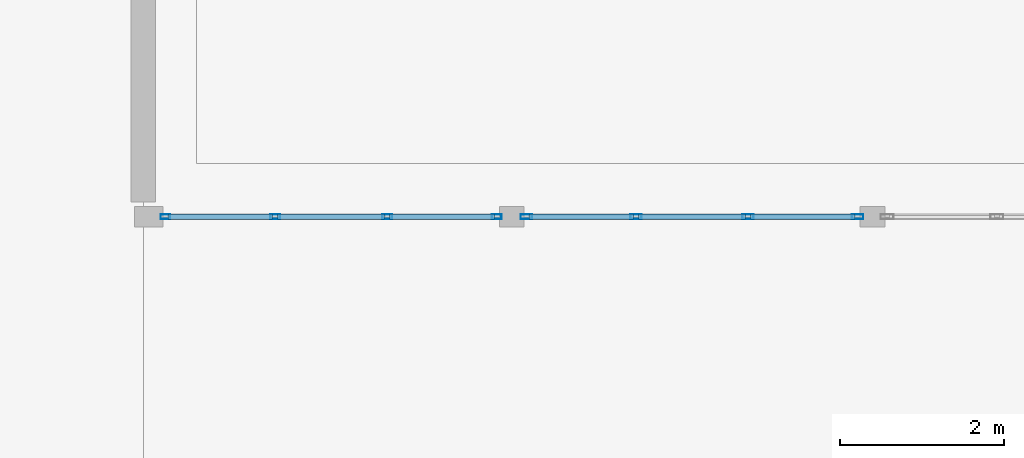
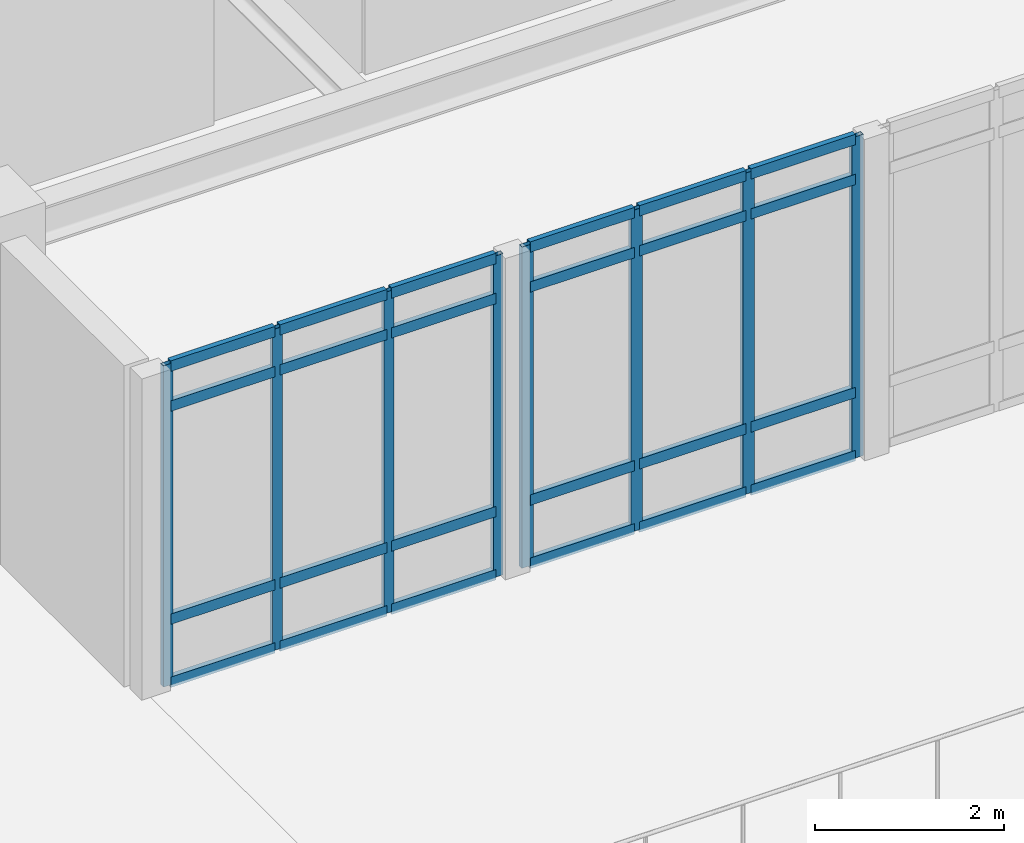
# One storey, part 6 of 55: 32 members, 2 elements without a shape of their own.
"""IFC4 building model written with IfcOpenShell, lengths in metres."""

from ifc_helpers import new_model, si_unit, direction, frame, origin, origin_2d, place, context, subcontext, project, spatial, hollow_rectangle, extrude, material, layer, layer_set, material_profile, profile_set, type_object, element, aggregate, save


model = new_model("IFC4")

# Units and contexts
model_context = context("Model", 3, precision=1e-05, world=origin(), true_north=direction((0.0, 1.0)))
body_context = subcontext(model_context, "Body", "Model", "MODEL_VIEW")
ifc_project = project(units=[si_unit("LENGTHUNIT", "METRE"), si_unit("AREAUNIT", "SQUARE_METRE"), si_unit("VOLUMEUNIT", "CUBIC_METRE"), si_unit("PLANEANGLEUNIT", "RADIAN"), si_unit("MASSUNIT", "GRAM", prefix="KILO")], contexts=[model_context])

# Site, building, storey
site_placement = place(None, origin())
site = spatial("IfcSite", under=ifc_project, at=site_placement, CompositionType="ELEMENT")
building_placement = place(site_placement, origin())
building = spatial("IfcBuilding", under=site, at=building_placement, Name="Fikremerkos Civic Library", CompositionType="ELEMENT")
storey_placement = place(building_placement, frame((0.0, 0.0, 18.89990234375)))
storey = spatial("IfcBuildingStorey", under=building, at=storey_placement, Name="L04", CompositionType="ELEMENT", Elevation=18.89990234375)

# Curtain wall, members
ifc_material = material(Name="Anodized aluminium Frame", Category="aluminium")
ifc_layer_1 = layer(ifc_material, 0.159912109375, Name="Anodized aluminium Frame")
ifc_layer_set_1 = layer_set([ifc_layer_1], Name="Anodized aluminium Frame")
curtain_wall_type_1 = type_object("IfcCurtainWallType", Name="Unitised curtain wall CW-11 3200x3400", PredefinedType="USERDEFINED", material=ifc_layer_set_1)
curtain_wall_1_placement = place(storey_placement, origin())
curtain_wall_1 = element("IfcCurtainWall", 1, at=curtain_wall_1_placement, inside=storey, type_object=curtain_wall_type_1, Name="Unitised curtain wall CW-11 L04 #227", ObjectType="UNITISED CURTAIN WALL", PredefinedType="USERDEFINED")
ifc_material_profile_1 = material_profile(ifc_material, hollow_rectangle(XDim=0.06005859375, YDim=0.139892578125, WallThickness=0.00390625, at=origin_2d()), Name="ALU 140x60x4")
ifc_profile_set_1 = profile_set([ifc_material_profile_1], Name="Anodized aluminium Frame")
member_type_1 = type_object("IfcMemberType", Name="Curtain mullion CWM-03 ALU 140x60x4", PredefinedType="MULLION", material=ifc_profile_set_1)
member_1_placement = place(storey_placement, frame((27.915283203125, 8.800048828125, 0.0), z_axis=(0.0, 0.0, 1.0), x_axis=(0.0, -1.0, 0.0)))
member_1 = element("IfcMember", 2, at=member_1_placement, type_object=member_type_1, Name="CW-11 mullion 1", PredefinedType="MULLION", context=body_context, shape_type="SweptSolid", body=[
    extrude(hollow_rectangle(XDim=0.06005859375, YDim=0.139892578125, WallThickness=0.00390625, at=origin_2d()), origin(), (0.0, 0.0, 1.0), 4.16015625),
])
member_2_placement = place(storey_placement, frame((26.577880859375, 8.800048828125, 0.0), z_axis=(0.0, 0.0, 1.0), x_axis=(0.0, -1.0, 0.0)))
member_2 = element("IfcMember", 3, at=member_2_placement, type_object=member_type_1, Name="CW-11 mullion 2", PredefinedType="MULLION", context=body_context, shape_type="SweptSolid", body=[
    extrude(hollow_rectangle(XDim=0.06005859375, YDim=0.139892578125, WallThickness=0.00390625, at=origin_2d()), origin(), (0.0, 0.0, 1.0), 4.16015625),
])
member_3_placement = place(storey_placement, frame((25.210205078125, 8.800048828125, 0.0), z_axis=(0.0, 0.0, 1.0), x_axis=(0.0, -1.0, 0.0)))
member_3 = element("IfcMember", 4, at=member_3_placement, type_object=member_type_1, Name="CW-11 mullion 3", PredefinedType="MULLION", context=body_context, shape_type="SweptSolid", body=[
    extrude(hollow_rectangle(XDim=0.06005859375, YDim=0.139892578125, WallThickness=0.00390625, at=origin_2d()), origin(), (0.0, 0.0, 1.0), 4.16015625),
])
member_4_placement = place(storey_placement, frame((23.87255859375, 8.800048828125, 0.0), z_axis=(0.0, 0.0, 1.0), x_axis=(0.0, -1.0, 0.0)))
member_4 = element("IfcMember", 5, at=member_4_placement, type_object=member_type_1, Name="CW-11 mullion 4", PredefinedType="MULLION", context=body_context, shape_type="SweptSolid", body=[
    extrude(hollow_rectangle(XDim=0.06005859375, YDim=0.139892578125, WallThickness=0.00390625, at=origin_2d()), origin(), (0.0, 0.0, 1.0), 4.16015625),
])

ifc_layer_2 = layer(ifc_material, 0.159912109375, Name="Anodized aluminium Frame")
ifc_layer_set_2 = layer_set([ifc_layer_2], Name="Anodized aluminium Frame")
curtain_wall_type_2 = type_object("IfcCurtainWallType", Name="Unitised curtain wall CW-12 4300x3400", PredefinedType="USERDEFINED", material=ifc_layer_set_2)
curtain_wall_2_placement = place(storey_placement, origin())
curtain_wall_2 = element("IfcCurtainWall", 6, at=curtain_wall_2_placement, inside=storey, type_object=curtain_wall_type_2, Name="Unitised curtain wall CW-12 L04 #228", ObjectType="UNITISED CURTAIN WALL", PredefinedType="USERDEFINED")
ifc_material_profile_2 = material_profile(ifc_material, hollow_rectangle(XDim=0.06005859375, YDim=0.1201171875, WallThickness=0.00390625, at=origin_2d()), Name="ALU 120x60x4")
ifc_profile_set_2 = profile_set([ifc_material_profile_2], Name="Anodized aluminium Frame")
member_type_2 = type_object("IfcMemberType", Name="Curtain mullion CWM-04 ALU 120x60x4", PredefinedType="MULLION", material=ifc_profile_set_2)
member_5_placement = place(storey_placement, frame((23.5126953125, 8.800048828125, 0.0), z_axis=(0.0, 0.0, 1.0), x_axis=(0.0, -1.0, 0.0)))
member_5 = element("IfcMember", 7, at=member_5_placement, type_object=member_type_2, Name="CW-12 mullion 1", PredefinedType="MULLION", context=body_context, shape_type="SweptSolid", body=[
    extrude(hollow_rectangle(XDim=0.06005859375, YDim=0.1201171875, WallThickness=0.00390625, at=origin_2d()), origin(), (0.0, 0.0, 1.0), 4.16015625),
])
member_6_placement = place(storey_placement, frame((22.175048828125, 8.800048828125, 0.0), z_axis=(0.0, 0.0, 1.0), x_axis=(0.0, -1.0, 0.0)))
member_6 = element("IfcMember", 8, at=member_6_placement, type_object=member_type_2, Name="CW-12 mullion 2", PredefinedType="MULLION", context=body_context, shape_type="SweptSolid", body=[
    extrude(hollow_rectangle(XDim=0.06005859375, YDim=0.1201171875, WallThickness=0.00390625, at=origin_2d()), origin(), (0.0, 0.0, 1.0), 4.16015625),
])
member_7_placement = place(storey_placement, frame((20.8076171875, 8.800048828125, 0.0), z_axis=(0.0, 0.0, 1.0), x_axis=(0.0, -1.0, 0.0)))
member_7 = element("IfcMember", 9, at=member_7_placement, type_object=member_type_2, Name="CW-12 mullion 3", PredefinedType="MULLION", context=body_context, shape_type="SweptSolid", body=[
    extrude(hollow_rectangle(XDim=0.06005859375, YDim=0.1201171875, WallThickness=0.00390625, at=origin_2d()), origin(), (0.0, 0.0, 1.0), 4.16015625),
])
member_8_placement = place(storey_placement, frame((19.469970703125, 8.800048828125, 0.0), z_axis=(0.0, 0.0, 1.0), x_axis=(0.0, -1.0, 0.0)))
member_8 = element("IfcMember", 10, at=member_8_placement, type_object=member_type_2, Name="CW-12 mullion 4", PredefinedType="MULLION", context=body_context, shape_type="SweptSolid", body=[
    extrude(hollow_rectangle(XDim=0.06005859375, YDim=0.1201171875, WallThickness=0.00390625, at=origin_2d()), origin(), (0.0, 0.0, 1.0), 4.16015625),
])

# Member
ifc_material_profile_3 = material_profile(ifc_material, hollow_rectangle(XDim=0.06494140625, YDim=0.135009765625, WallThickness=0.00439453125, at=origin_2d()), Name="ALU 135x65x4.5")
ifc_profile_set_3 = profile_set([ifc_material_profile_3], Name="Anodized aluminium Frame")
member_type_3 = type_object("IfcMemberType", Name="Curtain transom CWT-02 ALU 135x65x4.5", PredefinedType="USERDEFINED", material=ifc_profile_set_3)
member_9_placement = place(storey_placement, frame((27.88525390625, 8.800048828125, 0.03271484375), z_axis=(-1.0, 0.0, 0.0), x_axis=(0.0, -1.0, 0.0)))
member_9 = element("IfcMember", 11, at=member_9_placement, type_object=member_type_3, Name="CW-11 transom 1.1", ObjectType="TRANSOM", PredefinedType="USERDEFINED", context=body_context, shape_type="SweptSolid", body=[
    extrude(hollow_rectangle(XDim=0.06494140625, YDim=0.135009765625, WallThickness=0.00439453125, at=origin_2d()), origin(), (0.0, 0.0, 1.0), 1.277587890625),
])

member_10_placement = place(storey_placement, frame((27.88525390625, 8.800048828125, 0.85009765625), z_axis=(-1.0, 0.0, 0.0), x_axis=(0.0, -1.0, 0.0)))
member_10 = element("IfcMember", 12, at=member_10_placement, type_object=member_type_3, Name="CW-11 transom 1.2", ObjectType="TRANSOM", PredefinedType="USERDEFINED", context=body_context, shape_type="SweptSolid", body=[
    extrude(hollow_rectangle(XDim=0.06494140625, YDim=0.135009765625, WallThickness=0.00439453125, at=origin_2d()), origin(), (0.0, 0.0, 1.0), 1.277587890625),
])

member_11_placement = place(storey_placement, frame((27.88525390625, 8.800048828125, 3.610107421875), z_axis=(-1.0, 0.0, 0.0), x_axis=(0.0, -1.0, 0.0)))
member_11 = element("IfcMember", 13, at=member_11_placement, type_object=member_type_3, Name="CW-11 transom 1.3", ObjectType="TRANSOM", PredefinedType="USERDEFINED", context=body_context, shape_type="SweptSolid", body=[
    extrude(hollow_rectangle(XDim=0.06494140625, YDim=0.135009765625, WallThickness=0.00439453125, at=origin_2d()), origin(), (0.0, 0.0, 1.0), 1.277587890625),
])

member_12_placement = place(storey_placement, frame((27.88525390625, 8.800048828125, 4.127685546875), z_axis=(-1.0, 0.0, 0.0), x_axis=(0.0, -1.0, 0.0)))
member_12 = element("IfcMember", 14, at=member_12_placement, type_object=member_type_3, Name="CW-11 transom 1.4", ObjectType="TRANSOM", PredefinedType="USERDEFINED", context=body_context, shape_type="SweptSolid", body=[
    extrude(hollow_rectangle(XDim=0.06494140625, YDim=0.135009765625, WallThickness=0.00439453125, at=origin_2d()), origin(), (0.0, 0.0, 1.0), 1.277587890625),
])

member_13_placement = place(storey_placement, frame((26.5478515625, 8.800048828125, 0.03271484375), z_axis=(-1.0, 0.0, 0.0), x_axis=(0.0, -1.0, 0.0)))
member_13 = element("IfcMember", 15, at=member_13_placement, type_object=member_type_3, Name="CW-11 transom 2.1", ObjectType="TRANSOM", PredefinedType="USERDEFINED", context=body_context, shape_type="SweptSolid", body=[
    extrude(hollow_rectangle(XDim=0.06494140625, YDim=0.135009765625, WallThickness=0.00439453125, at=origin_2d()), origin(), (0.0, 0.0, 1.0), 1.3076171875),
])

member_14_placement = place(storey_placement, frame((26.5478515625, 8.800048828125, 0.85009765625), z_axis=(-1.0, 0.0, 0.0), x_axis=(0.0, -1.0, 0.0)))
member_14 = element("IfcMember", 16, at=member_14_placement, type_object=member_type_3, Name="CW-11 transom 2.2", ObjectType="TRANSOM", PredefinedType="USERDEFINED", context=body_context, shape_type="SweptSolid", body=[
    extrude(hollow_rectangle(XDim=0.06494140625, YDim=0.135009765625, WallThickness=0.00439453125, at=origin_2d()), origin(), (0.0, 0.0, 1.0), 1.3076171875),
])

member_15_placement = place(storey_placement, frame((26.5478515625, 8.800048828125, 3.610107421875), z_axis=(-1.0, 0.0, 0.0), x_axis=(0.0, -1.0, 0.0)))
member_15 = element("IfcMember", 17, at=member_15_placement, type_object=member_type_3, Name="CW-11 transom 2.3", ObjectType="TRANSOM", PredefinedType="USERDEFINED", context=body_context, shape_type="SweptSolid", body=[
    extrude(hollow_rectangle(XDim=0.06494140625, YDim=0.135009765625, WallThickness=0.00439453125, at=origin_2d()), origin(), (0.0, 0.0, 1.0), 1.3076171875),
])

member_16_placement = place(storey_placement, frame((26.5478515625, 8.800048828125, 4.127685546875), z_axis=(-1.0, 0.0, 0.0), x_axis=(0.0, -1.0, 0.0)))
member_16 = element("IfcMember", 18, at=member_16_placement, type_object=member_type_3, Name="CW-11 transom 2.4", ObjectType="TRANSOM", PredefinedType="USERDEFINED", context=body_context, shape_type="SweptSolid", body=[
    extrude(hollow_rectangle(XDim=0.06494140625, YDim=0.135009765625, WallThickness=0.00439453125, at=origin_2d()), origin(), (0.0, 0.0, 1.0), 1.3076171875),
])

member_17_placement = place(storey_placement, frame((25.18017578125, 8.800048828125, 0.03271484375), z_axis=(-1.0, 0.0, 0.0), x_axis=(0.0, -1.0, 0.0)))
member_17 = element("IfcMember", 19, at=member_17_placement, type_object=member_type_3, Name="CW-11 transom 3.1", ObjectType="TRANSOM", PredefinedType="USERDEFINED", context=body_context, shape_type="SweptSolid", body=[
    extrude(hollow_rectangle(XDim=0.06494140625, YDim=0.135009765625, WallThickness=0.00439453125, at=origin_2d()), origin(), (0.0, 0.0, 1.0), 1.277587890625),
])

member_18_placement = place(storey_placement, frame((25.18017578125, 8.800048828125, 0.85009765625), z_axis=(-1.0, 0.0, 0.0), x_axis=(0.0, -1.0, 0.0)))
member_18 = element("IfcMember", 20, at=member_18_placement, type_object=member_type_3, Name="CW-11 transom 3.2", ObjectType="TRANSOM", PredefinedType="USERDEFINED", context=body_context, shape_type="SweptSolid", body=[
    extrude(hollow_rectangle(XDim=0.06494140625, YDim=0.135009765625, WallThickness=0.00439453125, at=origin_2d()), origin(), (0.0, 0.0, 1.0), 1.277587890625),
])

member_19_placement = place(storey_placement, frame((25.18017578125, 8.800048828125, 3.610107421875), z_axis=(-1.0, 0.0, 0.0), x_axis=(0.0, -1.0, 0.0)))
member_19 = element("IfcMember", 21, at=member_19_placement, type_object=member_type_3, Name="CW-11 transom 3.3", ObjectType="TRANSOM", PredefinedType="USERDEFINED", context=body_context, shape_type="SweptSolid", body=[
    extrude(hollow_rectangle(XDim=0.06494140625, YDim=0.135009765625, WallThickness=0.00439453125, at=origin_2d()), origin(), (0.0, 0.0, 1.0), 1.277587890625),
])

member_20_placement = place(storey_placement, frame((25.18017578125, 8.800048828125, 4.127685546875), z_axis=(-1.0, 0.0, 0.0), x_axis=(0.0, -1.0, 0.0)))
member_20 = element("IfcMember", 22, at=member_20_placement, type_object=member_type_3, Name="CW-11 transom 3.4", ObjectType="TRANSOM", PredefinedType="USERDEFINED", context=body_context, shape_type="SweptSolid", body=[
    extrude(hollow_rectangle(XDim=0.06494140625, YDim=0.135009765625, WallThickness=0.00439453125, at=origin_2d()), origin(), (0.0, 0.0, 1.0), 1.277587890625),
])

aggregate(curtain_wall_1, [member_1, member_2, member_3, member_4, member_9, member_10, member_11, member_12, member_13, member_14, member_15, member_16, member_17, member_18, member_19, member_20])

member_21_placement = place(storey_placement, frame((23.482666015625, 8.800048828125, 0.03271484375), z_axis=(-1.0, 0.0, 0.0), x_axis=(0.0, -1.0, 0.0)))
member_21 = element("IfcMember", 23, at=member_21_placement, type_object=member_type_3, Name="CW-12 transom 1.1", ObjectType="TRANSOM", PredefinedType="USERDEFINED", context=body_context, shape_type="SweptSolid", body=[
    extrude(hollow_rectangle(XDim=0.06494140625, YDim=0.135009765625, WallThickness=0.00439453125, at=origin_2d()), origin(), (0.0, 0.0, 1.0), 1.277587890625),
])

member_22_placement = place(storey_placement, frame((23.482666015625, 8.800048828125, 0.85009765625), z_axis=(-1.0, 0.0, 0.0), x_axis=(0.0, -1.0, 0.0)))
member_22 = element("IfcMember", 24, at=member_22_placement, type_object=member_type_3, Name="CW-12 transom 1.2", ObjectType="TRANSOM", PredefinedType="USERDEFINED", context=body_context, shape_type="SweptSolid", body=[
    extrude(hollow_rectangle(XDim=0.06494140625, YDim=0.135009765625, WallThickness=0.00439453125, at=origin_2d()), origin(), (0.0, 0.0, 1.0), 1.277587890625),
])

member_23_placement = place(storey_placement, frame((23.482666015625, 8.800048828125, 3.610107421875), z_axis=(-1.0, 0.0, 0.0), x_axis=(0.0, -1.0, 0.0)))
member_23 = element("IfcMember", 25, at=member_23_placement, type_object=member_type_3, Name="CW-12 transom 1.3", ObjectType="TRANSOM", PredefinedType="USERDEFINED", context=body_context, shape_type="SweptSolid", body=[
    extrude(hollow_rectangle(XDim=0.06494140625, YDim=0.135009765625, WallThickness=0.00439453125, at=origin_2d()), origin(), (0.0, 0.0, 1.0), 1.277587890625),
])

member_24_placement = place(storey_placement, frame((23.482666015625, 8.800048828125, 4.127685546875), z_axis=(-1.0, 0.0, 0.0), x_axis=(0.0, -1.0, 0.0)))
member_24 = element("IfcMember", 26, at=member_24_placement, type_object=member_type_3, Name="CW-12 transom 1.4", ObjectType="TRANSOM", PredefinedType="USERDEFINED", context=body_context, shape_type="SweptSolid", body=[
    extrude(hollow_rectangle(XDim=0.06494140625, YDim=0.135009765625, WallThickness=0.00439453125, at=origin_2d()), origin(), (0.0, 0.0, 1.0), 1.277587890625),
])

member_25_placement = place(storey_placement, frame((22.14501953125, 8.800048828125, 0.03271484375), z_axis=(-1.0, 0.0, 0.0), x_axis=(0.0, -1.0, 0.0)))
member_25 = element("IfcMember", 27, at=member_25_placement, type_object=member_type_3, Name="CW-12 transom 2.1", ObjectType="TRANSOM", PredefinedType="USERDEFINED", context=body_context, shape_type="SweptSolid", body=[
    extrude(hollow_rectangle(XDim=0.06494140625, YDim=0.135009765625, WallThickness=0.00439453125, at=origin_2d()), origin(), (0.0, 0.0, 1.0), 1.307373046875),
])

member_26_placement = place(storey_placement, frame((22.14501953125, 8.800048828125, 0.85009765625), z_axis=(-1.0, 0.0, 0.0), x_axis=(0.0, -1.0, 0.0)))
member_26 = element("IfcMember", 28, at=member_26_placement, type_object=member_type_3, Name="CW-12 transom 2.2", ObjectType="TRANSOM", PredefinedType="USERDEFINED", context=body_context, shape_type="SweptSolid", body=[
    extrude(hollow_rectangle(XDim=0.06494140625, YDim=0.135009765625, WallThickness=0.00439453125, at=origin_2d()), origin(), (0.0, 0.0, 1.0), 1.307373046875),
])

member_27_placement = place(storey_placement, frame((22.14501953125, 8.800048828125, 3.610107421875), z_axis=(-1.0, 0.0, 0.0), x_axis=(0.0, -1.0, 0.0)))
member_27 = element("IfcMember", 29, at=member_27_placement, type_object=member_type_3, Name="CW-12 transom 2.3", ObjectType="TRANSOM", PredefinedType="USERDEFINED", context=body_context, shape_type="SweptSolid", body=[
    extrude(hollow_rectangle(XDim=0.06494140625, YDim=0.135009765625, WallThickness=0.00439453125, at=origin_2d()), origin(), (0.0, 0.0, 1.0), 1.307373046875),
])

member_28_placement = place(storey_placement, frame((22.14501953125, 8.800048828125, 4.127685546875), z_axis=(-1.0, 0.0, 0.0), x_axis=(0.0, -1.0, 0.0)))
member_28 = element("IfcMember", 30, at=member_28_placement, type_object=member_type_3, Name="CW-12 transom 2.4", ObjectType="TRANSOM", PredefinedType="USERDEFINED", context=body_context, shape_type="SweptSolid", body=[
    extrude(hollow_rectangle(XDim=0.06494140625, YDim=0.135009765625, WallThickness=0.00439453125, at=origin_2d()), origin(), (0.0, 0.0, 1.0), 1.307373046875),
])

member_29_placement = place(storey_placement, frame((20.777587890625, 8.800048828125, 0.03271484375), z_axis=(-1.0, 0.0, 0.0), x_axis=(0.0, -1.0, 0.0)))
member_29 = element("IfcMember", 31, at=member_29_placement, type_object=member_type_3, Name="CW-12 transom 3.1", ObjectType="TRANSOM", PredefinedType="USERDEFINED", context=body_context, shape_type="SweptSolid", body=[
    extrude(hollow_rectangle(XDim=0.06494140625, YDim=0.135009765625, WallThickness=0.00439453125, at=origin_2d()), origin(), (0.0, 0.0, 1.0), 1.277587890625),
])

member_30_placement = place(storey_placement, frame((20.777587890625, 8.800048828125, 0.85009765625), z_axis=(-1.0, 0.0, 0.0), x_axis=(0.0, -1.0, 0.0)))
member_30 = element("IfcMember", 32, at=member_30_placement, type_object=member_type_3, Name="CW-12 transom 3.2", ObjectType="TRANSOM", PredefinedType="USERDEFINED", context=body_context, shape_type="SweptSolid", body=[
    extrude(hollow_rectangle(XDim=0.06494140625, YDim=0.135009765625, WallThickness=0.00439453125, at=origin_2d()), origin(), (0.0, 0.0, 1.0), 1.277587890625),
])

member_31_placement = place(storey_placement, frame((20.777587890625, 8.800048828125, 3.610107421875), z_axis=(-1.0, 0.0, 0.0), x_axis=(0.0, -1.0, 0.0)))
member_31 = element("IfcMember", 33, at=member_31_placement, type_object=member_type_3, Name="CW-12 transom 3.3", ObjectType="TRANSOM", PredefinedType="USERDEFINED", context=body_context, shape_type="SweptSolid", body=[
    extrude(hollow_rectangle(XDim=0.06494140625, YDim=0.135009765625, WallThickness=0.00439453125, at=origin_2d()), origin(), (0.0, 0.0, 1.0), 1.277587890625),
])

member_32_placement = place(storey_placement, frame((20.777587890625, 8.800048828125, 4.127685546875), z_axis=(-1.0, 0.0, 0.0), x_axis=(0.0, -1.0, 0.0)))
member_32 = element("IfcMember", 34, at=member_32_placement, type_object=member_type_3, Name="CW-12 transom 3.4", ObjectType="TRANSOM", PredefinedType="USERDEFINED", context=body_context, shape_type="SweptSolid", body=[
    extrude(hollow_rectangle(XDim=0.06494140625, YDim=0.135009765625, WallThickness=0.00439453125, at=origin_2d()), origin(), (0.0, 0.0, 1.0), 1.277587890625),
])

aggregate(curtain_wall_2, [member_5, member_6, member_7, member_8, member_21, member_22, member_23, member_24, member_25, member_26, member_27, member_28, member_29, member_30, member_31, member_32])

save(model, "model.ifc")
